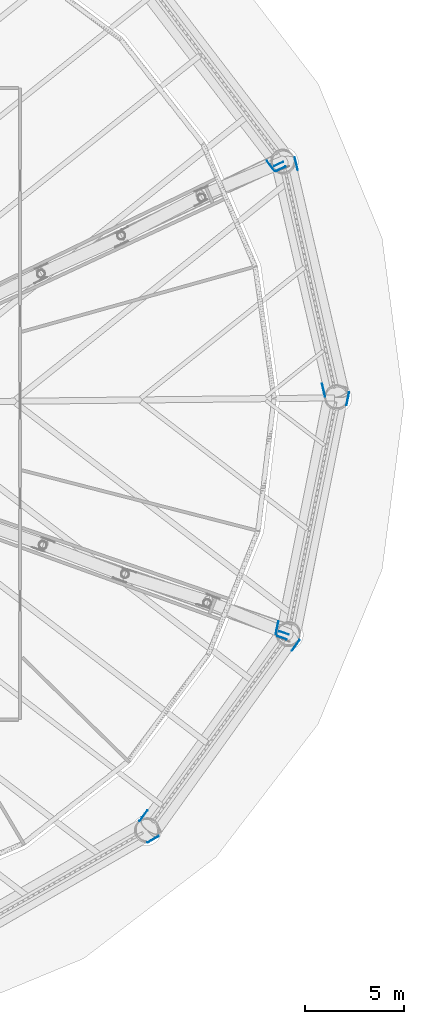
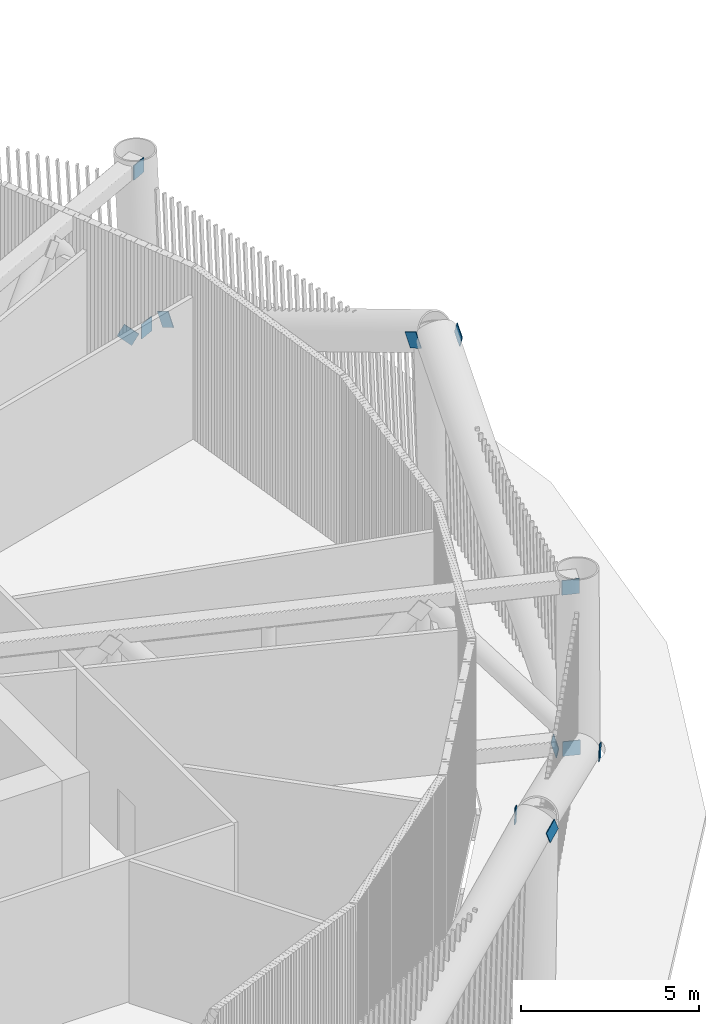
# One storey, part 26 of 48: 12 discrete accessories.
"""IFC4 building model written with IfcOpenShell, lengths in metres."""

from ifc_helpers import new_model, si_unit, direction, frame, origin, origin_2d, place, context, subcontext, project, spatial, rectangle, extrude, material, material_profile, profile_set, type_object, element, save


model = new_model("IFC4")

# Units and contexts
model_context = context("Model", 3, precision=1e-05, world=origin(), true_north=direction((0.0, 1.0)))
body_context = subcontext(model_context, "Body", "Model", "MODEL_VIEW")
ifc_project = project(units=[si_unit("LENGTHUNIT", "METRE"), si_unit("AREAUNIT", "SQUARE_METRE"), si_unit("VOLUMEUNIT", "CUBIC_METRE"), si_unit("PLANEANGLEUNIT", "RADIAN"), si_unit("MASSUNIT", "GRAM", prefix="KILO")], contexts=[model_context])

# Site, building, storey
site_placement = place(None, origin())
site = spatial("IfcSite", under=ifc_project, at=site_placement, CompositionType="ELEMENT")
building_placement = place(site_placement, origin())
building = spatial("IfcBuilding", under=site, at=building_placement, Name="Tarsis Ring Headquarters", CompositionType="ELEMENT")
storey_placement = place(building_placement, frame((0.0, 0.0, 34.0)))
storey = spatial("IfcBuildingStorey", under=building, at=storey_placement, Name="L06", CompositionType="ELEMENT", Elevation=34.0)

# Discrete accessories
ifc_material = material(Name="Structural steel S355", Category="steel")
ifc_material_profile = material_profile(ifc_material, rectangle(XDim=0.02490234375, YDim=0.5, at=origin_2d()), Name="PL 25x500")
ifc_profile_set = profile_set([ifc_material_profile], Name="Structural steel S355")
discrete_accessory_type_1 = type_object("IfcDiscreteAccessoryType", Name="Gusset plate Belt truss 25", PredefinedType="BRACKET", material=ifc_profile_set)
for number, where, z_axis, x_axis, name in (
    (1, (19.94189453125, -21.9501953125, 6.0), (-0.780800998963, -0.451682879325, -0.43166234089), (0.500737494085, -0.865599192477, 0.0), "Gusset plate GP4"),
    (2, (27.095703125, -12.057861328125, 0.0), (-0.520460847487, -0.726496942833, 0.44868998015), (0.812920583234, -0.582374557613, 0.0), "Gusset plate GP4"),
    (3, (19.124755859375, -21.04931640625, 6.0), (0.520460847487, 0.726496942833, -0.44868998015), (-0.812920583234, 0.582374557613, 0.0), "Gusset plate GP4"),
    (4, (25.97998046875, -11.57421875, 0.0), (0.176252366165, 0.884679466733, 0.431598591938), (-0.980726123361, 0.195387489257, 0.0), "Gusset plate GP4"),
    (5, (29.65234375, 0.48681640625, 6.0), (-0.176725371826, -0.884603242401, -0.431561405233), (0.980622283005, -0.195907983691, 0.0), "Gusset plate GP4"),
    (6, (26.945068359375, 12.390625, 0.0), (0.202130559177, -0.870528471045, 0.448690782328), (0.974086454598, 0.226175991141, 0.0), "Gusset plate GP4"),
    (7, (28.436279296875, 0.467529296875, 6.0), (-0.202130559177, 0.870528471045, -0.448690782328), (-0.974086454598, -0.226175991141, 0.0), "Gusset plate GP4"),
    (8, (25.844970703125, 11.8720703125, 0.0), (-0.547974057938, 0.716468754898, 0.431737136557), (-0.794311724419, -0.607510398636, 0.0), "Gusset plate GP4"),
):
    element("IfcDiscreteAccessory", number, at=place(storey_placement, frame(where, z_axis=z_axis, x_axis=x_axis)), inside=storey, type_object=discrete_accessory_type_1, Name=name, PredefinedType="BRACKET", context=body_context, shape_type="SweptSolid", body=[
        extrude(rectangle(XDim=0.02490234375, YDim=0.5, at=origin_2d()), origin(), (0.0, 0.0, 1.0), 0.5),
    ])
discrete_accessory_type_2 = type_object("IfcDiscreteAccessoryType", Name="Gusset plate Outrigger chord 25", PredefinedType="BRACKET", material=ifc_profile_set)
for number, where, z_axis, x_axis, name in (
    (9, (26.504638671875, -11.9345703125, 0.25390625), (-0.940631883333, 0.339428431421, 0.0), (-0.339428431421, -0.940631883333, 0.0), "Gusset plate GP3"),
    (10, (26.615966796875, -11.68798828125, 5.5859375), (-0.945663145699, 0.325147989177, 0.0), (-0.325147989177, -0.945663145699, 0.0), "Gusset plate GP3"),
    (11, (26.4462890625, 12.02001953125, 0.25390625), (-0.906669002458, -0.421842766895, 0.0), (0.421842766895, -0.906669002458, 0.0), "Gusset plate GP3"),
    (12, (26.33447265625, 12.266357421875, 5.5859375), (-0.899924443568, -0.436045864409, 0.0), (0.436045864409, -0.899924443568, 0.0), "Gusset plate GP3"),
):
    element("IfcDiscreteAccessory", number, at=place(storey_placement, frame(where, z_axis=z_axis, x_axis=x_axis)), inside=storey, type_object=discrete_accessory_type_2, Name=name, PredefinedType="BRACKET", context=body_context, shape_type="SweptSolid", body=[
        extrude(rectangle(XDim=0.02490234375, YDim=0.5, at=origin_2d()), origin(), (0.0, 0.0, 1.0), 0.5),
    ])

save(model, "model.ifc")
